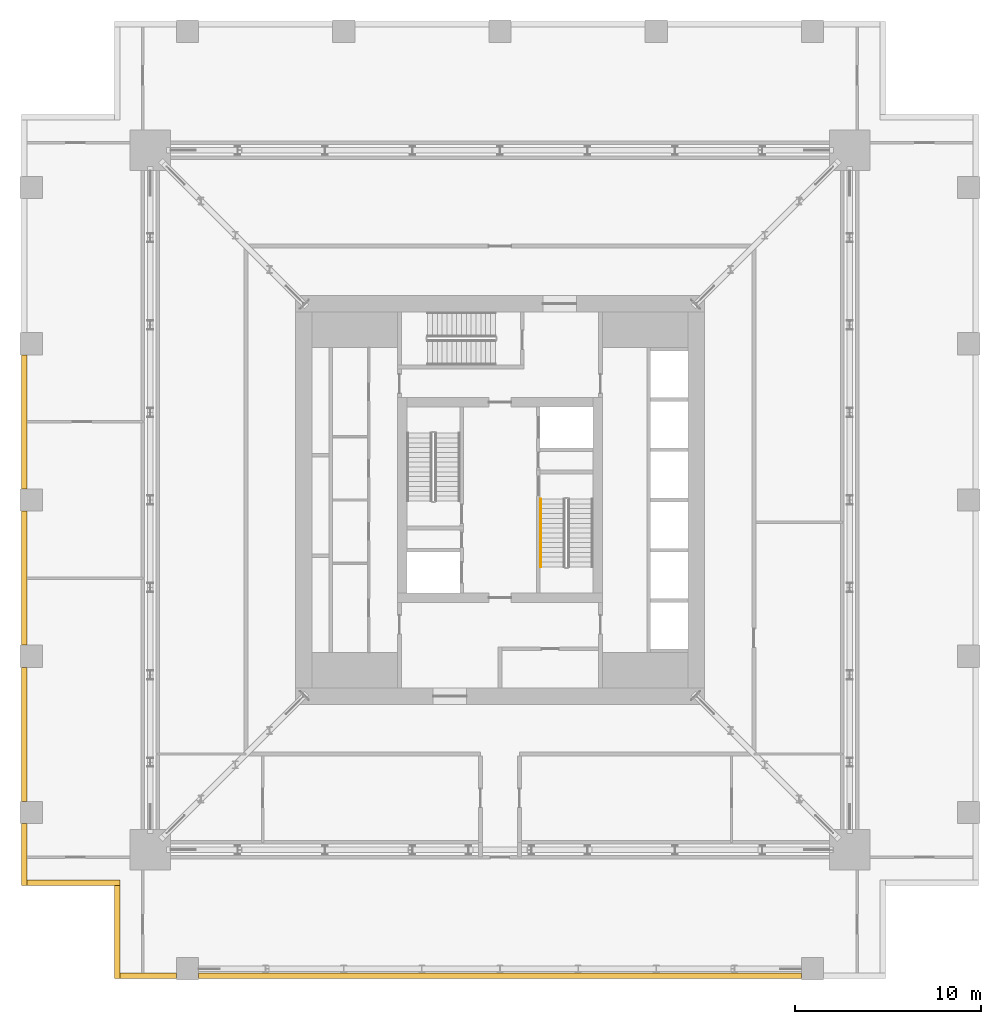
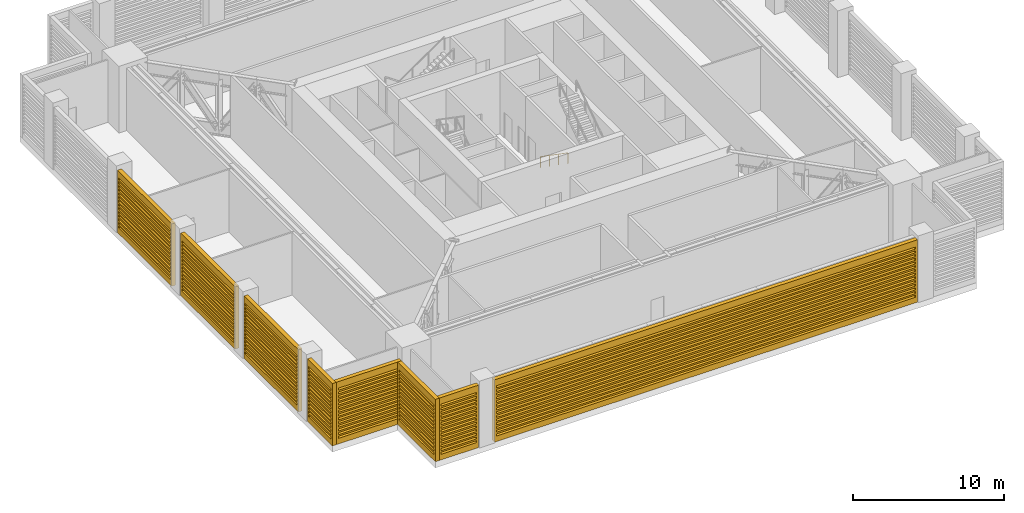
# One storey, part 12 of 16: 8 shading devices, 1 railing.
"""IFC4 building model written with IfcOpenShell, lengths in metres."""

from ifc_helpers import new_model, si_unit, direction, frame, origin, origin_2d, place, context, subcontext, project, spatial, polyline, rectangle, outline, extrude, material, type_object, element, save


model = new_model("IFC4")

# Units and contexts
model_context = context("Model", 3, precision=1e-05, world=origin(), true_north=direction((0.0, 1.0)))
body_context = subcontext(model_context, "Body", "Model", "MODEL_VIEW")
ifc_project = project(units=[si_unit("LENGTHUNIT", "METRE"), si_unit("AREAUNIT", "SQUARE_METRE"), si_unit("VOLUMEUNIT", "CUBIC_METRE"), si_unit("PLANEANGLEUNIT", "RADIAN"), si_unit("MASSUNIT", "GRAM", prefix="KILO")], contexts=[model_context])

# Site, building, storey
site_placement = place(None, origin())
site = spatial("IfcSite", under=ifc_project, at=site_placement, CompositionType="ELEMENT")
building_placement = place(site_placement, origin())
building = spatial("IfcBuilding", under=site, at=building_placement, Name="Khepri Terraces", CompositionType="ELEMENT")
storey_placement = place(building_placement, frame((0.0, 0.0, 287.39990234375)))
storey = spatial("IfcBuildingStorey", under=building, at=storey_placement, Name="L69", CompositionType="ELEMENT", Elevation=287.39990234375)

# Shading devices
ifc_material_1 = material(Name="Anodised aluminium bronze", Category="aluminium")
shading_device_type = type_object("IfcShadingDeviceType", Name="LVR-PLANT-300", PredefinedType="USERDEFINED", material=ifc_material_1)
shading_device_1_placement = place(storey_placement, frame((-25.419921875, 7.800048828125, 0.0), z_axis=(-1.0, 0.0, 0.0), x_axis=(0.0, -1.0, 0.0)))
element("IfcShadingDevice", 1, at=shading_device_1_placement, inside=storey, type_object=shading_device_type, Name="Louvre wall L69 W", ObjectType="LOUVRE", PredefinedType="USERDEFINED", context=body_context, shape_type="SweptSolid", body=[
    extrude(outline(polyline([(0.0, 0.0), (7.199951171875, 0.0), (7.199951171875, 5.050048828125), (0.0, 5.050048828125), (0.0, 0.0)]), holes=[polyline([(0.14990234375, 0.449951171875), (7.050048828125, 0.449951171875), (7.050048828125, 0.6201171875), (0.14990234375, 0.6201171875), (0.14990234375, 0.449951171875)]), polyline([(0.14990234375, 0.75), (7.050048828125, 0.75), (7.050048828125, 0.919921875), (0.14990234375, 0.919921875), (0.14990234375, 0.75)]), polyline([(0.14990234375, 1.050048828125), (7.050048828125, 1.050048828125), (7.050048828125, 1.219970703125), (0.14990234375, 1.219970703125), (0.14990234375, 1.050048828125)]), polyline([(0.14990234375, 1.35009765625), (7.050048828125, 1.35009765625), (7.050048828125, 1.52001953125), (0.14990234375, 1.52001953125), (0.14990234375, 1.35009765625)]), polyline([(0.14990234375, 1.64990234375), (7.050048828125, 1.64990234375), (7.050048828125, 1.820068359375), (0.14990234375, 1.820068359375), (0.14990234375, 1.64990234375)]), polyline([(0.14990234375, 1.949951171875), (7.050048828125, 1.949951171875), (7.050048828125, 2.1201171875), (0.14990234375, 2.1201171875), (0.14990234375, 1.949951171875)]), polyline([(0.14990234375, 2.25), (7.050048828125, 2.25), (7.050048828125, 2.419921875), (0.14990234375, 2.419921875), (0.14990234375, 2.25)]), polyline([(0.14990234375, 2.550048828125), (7.050048828125, 2.550048828125), (7.050048828125, 2.719970703125), (0.14990234375, 2.719970703125), (0.14990234375, 2.550048828125)]), polyline([(0.14990234375, 2.85009765625), (7.050048828125, 2.85009765625), (7.050048828125, 3.02001953125), (0.14990234375, 3.02001953125), (0.14990234375, 2.85009765625)]), polyline([(0.14990234375, 3.14990234375), (7.050048828125, 3.14990234375), (7.050048828125, 3.320068359375), (0.14990234375, 3.320068359375), (0.14990234375, 3.14990234375)]), polyline([(0.14990234375, 3.449951171875), (7.050048828125, 3.449951171875), (7.050048828125, 3.6201171875), (0.14990234375, 3.6201171875), (0.14990234375, 3.449951171875)]), polyline([(0.14990234375, 3.75), (7.050048828125, 3.75), (7.050048828125, 3.919921875), (0.14990234375, 3.919921875), (0.14990234375, 3.75)]), polyline([(0.14990234375, 4.050048828125), (7.050048828125, 4.050048828125), (7.050048828125, 4.219970703125), (0.14990234375, 4.219970703125), (0.14990234375, 4.050048828125)]), polyline([(0.14990234375, 4.35009765625), (7.050048828125, 4.35009765625), (7.050048828125, 4.52001953125), (0.14990234375, 4.52001953125), (0.14990234375, 4.35009765625)])]), origin(), (0.0, 0.0, 1.0), 0.300048828125),
])
shading_device_2_placement = place(storey_placement, frame((-25.419921875, -0.60009765625, 0.0), z_axis=(-1.0, 0.0, 0.0), x_axis=(0.0, -1.0, 0.0)))
element("IfcShadingDevice", 2, at=shading_device_2_placement, inside=storey, type_object=shading_device_type, Name="Louvre wall L69 W", ObjectType="LOUVRE", PredefinedType="USERDEFINED", context=body_context, shape_type="SweptSolid", body=[
    extrude(outline(polyline([(0.0, 0.0), (7.199951171875, 0.0), (7.199951171875, 5.050048828125), (0.0, 5.050048828125), (0.0, 0.0)]), holes=[polyline([(0.14990234375, 0.449951171875), (7.050048828125, 0.449951171875), (7.050048828125, 0.6201171875), (0.14990234375, 0.6201171875), (0.14990234375, 0.449951171875)]), polyline([(0.14990234375, 0.75), (7.050048828125, 0.75), (7.050048828125, 0.919921875), (0.14990234375, 0.919921875), (0.14990234375, 0.75)]), polyline([(0.14990234375, 1.050048828125), (7.050048828125, 1.050048828125), (7.050048828125, 1.219970703125), (0.14990234375, 1.219970703125), (0.14990234375, 1.050048828125)]), polyline([(0.14990234375, 1.35009765625), (7.050048828125, 1.35009765625), (7.050048828125, 1.52001953125), (0.14990234375, 1.52001953125), (0.14990234375, 1.35009765625)]), polyline([(0.14990234375, 1.64990234375), (7.050048828125, 1.64990234375), (7.050048828125, 1.820068359375), (0.14990234375, 1.820068359375), (0.14990234375, 1.64990234375)]), polyline([(0.14990234375, 1.949951171875), (7.050048828125, 1.949951171875), (7.050048828125, 2.1201171875), (0.14990234375, 2.1201171875), (0.14990234375, 1.949951171875)]), polyline([(0.14990234375, 2.25), (7.050048828125, 2.25), (7.050048828125, 2.419921875), (0.14990234375, 2.419921875), (0.14990234375, 2.25)]), polyline([(0.14990234375, 2.550048828125), (7.050048828125, 2.550048828125), (7.050048828125, 2.719970703125), (0.14990234375, 2.719970703125), (0.14990234375, 2.550048828125)]), polyline([(0.14990234375, 2.85009765625), (7.050048828125, 2.85009765625), (7.050048828125, 3.02001953125), (0.14990234375, 3.02001953125), (0.14990234375, 2.85009765625)]), polyline([(0.14990234375, 3.14990234375), (7.050048828125, 3.14990234375), (7.050048828125, 3.320068359375), (0.14990234375, 3.320068359375), (0.14990234375, 3.14990234375)]), polyline([(0.14990234375, 3.449951171875), (7.050048828125, 3.449951171875), (7.050048828125, 3.6201171875), (0.14990234375, 3.6201171875), (0.14990234375, 3.449951171875)]), polyline([(0.14990234375, 3.75), (7.050048828125, 3.75), (7.050048828125, 3.919921875), (0.14990234375, 3.919921875), (0.14990234375, 3.75)]), polyline([(0.14990234375, 4.050048828125), (7.050048828125, 4.050048828125), (7.050048828125, 4.219970703125), (0.14990234375, 4.219970703125), (0.14990234375, 4.050048828125)]), polyline([(0.14990234375, 4.35009765625), (7.050048828125, 4.35009765625), (7.050048828125, 4.52001953125), (0.14990234375, 4.52001953125), (0.14990234375, 4.35009765625)])]), origin(), (0.0, 0.0, 1.0), 0.300048828125),
])
shading_device_3_placement = place(storey_placement, frame((-25.419921875, -9.0, 0.0), z_axis=(-1.0, 0.0, 0.0), x_axis=(0.0, -1.0, 0.0)))
element("IfcShadingDevice", 3, at=shading_device_3_placement, inside=storey, type_object=shading_device_type, Name="Louvre wall L69 W", ObjectType="LOUVRE", PredefinedType="USERDEFINED", context=body_context, shape_type="SweptSolid", body=[
    extrude(outline(polyline([(0.0, 0.0), (7.199951171875, 0.0), (7.199951171875, 5.050048828125), (0.0, 5.050048828125), (0.0, 0.0)]), holes=[polyline([(0.14990234375, 0.449951171875), (7.050048828125, 0.449951171875), (7.050048828125, 0.6201171875), (0.14990234375, 0.6201171875), (0.14990234375, 0.449951171875)]), polyline([(0.14990234375, 0.75), (7.050048828125, 0.75), (7.050048828125, 0.919921875), (0.14990234375, 0.919921875), (0.14990234375, 0.75)]), polyline([(0.14990234375, 1.050048828125), (7.050048828125, 1.050048828125), (7.050048828125, 1.219970703125), (0.14990234375, 1.219970703125), (0.14990234375, 1.050048828125)]), polyline([(0.14990234375, 1.35009765625), (7.050048828125, 1.35009765625), (7.050048828125, 1.52001953125), (0.14990234375, 1.52001953125), (0.14990234375, 1.35009765625)]), polyline([(0.14990234375, 1.64990234375), (7.050048828125, 1.64990234375), (7.050048828125, 1.820068359375), (0.14990234375, 1.820068359375), (0.14990234375, 1.64990234375)]), polyline([(0.14990234375, 1.949951171875), (7.050048828125, 1.949951171875), (7.050048828125, 2.1201171875), (0.14990234375, 2.1201171875), (0.14990234375, 1.949951171875)]), polyline([(0.14990234375, 2.25), (7.050048828125, 2.25), (7.050048828125, 2.419921875), (0.14990234375, 2.419921875), (0.14990234375, 2.25)]), polyline([(0.14990234375, 2.550048828125), (7.050048828125, 2.550048828125), (7.050048828125, 2.719970703125), (0.14990234375, 2.719970703125), (0.14990234375, 2.550048828125)]), polyline([(0.14990234375, 2.85009765625), (7.050048828125, 2.85009765625), (7.050048828125, 3.02001953125), (0.14990234375, 3.02001953125), (0.14990234375, 2.85009765625)]), polyline([(0.14990234375, 3.14990234375), (7.050048828125, 3.14990234375), (7.050048828125, 3.320068359375), (0.14990234375, 3.320068359375), (0.14990234375, 3.14990234375)]), polyline([(0.14990234375, 3.449951171875), (7.050048828125, 3.449951171875), (7.050048828125, 3.6201171875), (0.14990234375, 3.6201171875), (0.14990234375, 3.449951171875)]), polyline([(0.14990234375, 3.75), (7.050048828125, 3.75), (7.050048828125, 3.919921875), (0.14990234375, 3.919921875), (0.14990234375, 3.75)]), polyline([(0.14990234375, 4.050048828125), (7.050048828125, 4.050048828125), (7.050048828125, 4.219970703125), (0.14990234375, 4.219970703125), (0.14990234375, 4.050048828125)]), polyline([(0.14990234375, 4.35009765625), (7.050048828125, 4.35009765625), (7.050048828125, 4.52001953125), (0.14990234375, 4.52001953125), (0.14990234375, 4.35009765625)])]), origin(), (0.0, 0.0, 1.0), 0.300048828125),
])
shading_device_4_placement = place(storey_placement, frame((-25.419921875, -17.39990234375, 0.0), z_axis=(-1.0, 0.0, 0.0), x_axis=(0.0, -1.0, 0.0)))
element("IfcShadingDevice", 4, at=shading_device_4_placement, inside=storey, type_object=shading_device_type, Name="Louvre wall L69 W", ObjectType="LOUVRE", PredefinedType="USERDEFINED", context=body_context, shape_type="SweptSolid", body=[
    extrude(outline(polyline([(0.0, 0.0), (3.320068359375, 0.0), (3.320068359375, 5.050048828125), (0.0, 5.050048828125), (0.0, 0.0)]), holes=[polyline([(0.14990234375, 0.449951171875), (3.169921875, 0.449951171875), (3.169921875, 0.6201171875), (0.14990234375, 0.6201171875), (0.14990234375, 0.449951171875)]), polyline([(0.14990234375, 0.75), (3.169921875, 0.75), (3.169921875, 0.919921875), (0.14990234375, 0.919921875), (0.14990234375, 0.75)]), polyline([(0.14990234375, 1.050048828125), (3.169921875, 1.050048828125), (3.169921875, 1.219970703125), (0.14990234375, 1.219970703125), (0.14990234375, 1.050048828125)]), polyline([(0.14990234375, 1.35009765625), (3.169921875, 1.35009765625), (3.169921875, 1.52001953125), (0.14990234375, 1.52001953125), (0.14990234375, 1.35009765625)]), polyline([(0.14990234375, 1.64990234375), (3.169921875, 1.64990234375), (3.169921875, 1.820068359375), (0.14990234375, 1.820068359375), (0.14990234375, 1.64990234375)]), polyline([(0.14990234375, 1.949951171875), (3.169921875, 1.949951171875), (3.169921875, 2.1201171875), (0.14990234375, 2.1201171875), (0.14990234375, 1.949951171875)]), polyline([(0.14990234375, 2.25), (3.169921875, 2.25), (3.169921875, 2.419921875), (0.14990234375, 2.419921875), (0.14990234375, 2.25)]), polyline([(0.14990234375, 2.550048828125), (3.169921875, 2.550048828125), (3.169921875, 2.719970703125), (0.14990234375, 2.719970703125), (0.14990234375, 2.550048828125)]), polyline([(0.14990234375, 2.85009765625), (3.169921875, 2.85009765625), (3.169921875, 3.02001953125), (0.14990234375, 3.02001953125), (0.14990234375, 2.85009765625)]), polyline([(0.14990234375, 3.14990234375), (3.169921875, 3.14990234375), (3.169921875, 3.320068359375), (0.14990234375, 3.320068359375), (0.14990234375, 3.14990234375)]), polyline([(0.14990234375, 3.449951171875), (3.169921875, 3.449951171875), (3.169921875, 3.6201171875), (0.14990234375, 3.6201171875), (0.14990234375, 3.449951171875)]), polyline([(0.14990234375, 3.75), (3.169921875, 3.75), (3.169921875, 3.919921875), (0.14990234375, 3.919921875), (0.14990234375, 3.75)]), polyline([(0.14990234375, 4.050048828125), (3.169921875, 4.050048828125), (3.169921875, 4.219970703125), (0.14990234375, 4.219970703125), (0.14990234375, 4.050048828125)]), polyline([(0.14990234375, 4.35009765625), (3.169921875, 4.35009765625), (3.169921875, 4.52001953125), (0.14990234375, 4.52001953125), (0.14990234375, 4.35009765625)])]), origin(), (0.0, 0.0, 1.0), 0.300048828125),
])
shading_device_5_placement = place(storey_placement, frame((-25.419921875, -20.419921875, 0.0), z_axis=(0.0, -1.0, 0.0), x_axis=(1.0, 0.0, 0.0)))
element("IfcShadingDevice", 5, at=shading_device_5_placement, inside=storey, type_object=shading_device_type, Name="Louvre wall L69 S", ObjectType="LOUVRE", PredefinedType="USERDEFINED", context=body_context, shape_type="SweptSolid", body=[
    extrude(outline(polyline([(0.0, 0.0), (5.0, 0.0), (5.0, 5.050048828125), (0.0, 5.050048828125), (0.0, 0.0)]), holes=[polyline([(0.14990234375, 0.449951171875), (4.85009765625, 0.449951171875), (4.85009765625, 0.6201171875), (0.14990234375, 0.6201171875), (0.14990234375, 0.449951171875)]), polyline([(0.14990234375, 0.75), (4.85009765625, 0.75), (4.85009765625, 0.919921875), (0.14990234375, 0.919921875), (0.14990234375, 0.75)]), polyline([(0.14990234375, 1.050048828125), (4.85009765625, 1.050048828125), (4.85009765625, 1.219970703125), (0.14990234375, 1.219970703125), (0.14990234375, 1.050048828125)]), polyline([(0.14990234375, 1.35009765625), (4.85009765625, 1.35009765625), (4.85009765625, 1.52001953125), (0.14990234375, 1.52001953125), (0.14990234375, 1.35009765625)]), polyline([(0.14990234375, 1.64990234375), (4.85009765625, 1.64990234375), (4.85009765625, 1.820068359375), (0.14990234375, 1.820068359375), (0.14990234375, 1.64990234375)]), polyline([(0.14990234375, 1.949951171875), (4.85009765625, 1.949951171875), (4.85009765625, 2.1201171875), (0.14990234375, 2.1201171875), (0.14990234375, 1.949951171875)]), polyline([(0.14990234375, 2.25), (4.85009765625, 2.25), (4.85009765625, 2.419921875), (0.14990234375, 2.419921875), (0.14990234375, 2.25)]), polyline([(0.14990234375, 2.550048828125), (4.85009765625, 2.550048828125), (4.85009765625, 2.719970703125), (0.14990234375, 2.719970703125), (0.14990234375, 2.550048828125)]), polyline([(0.14990234375, 2.85009765625), (4.85009765625, 2.85009765625), (4.85009765625, 3.02001953125), (0.14990234375, 3.02001953125), (0.14990234375, 2.85009765625)]), polyline([(0.14990234375, 3.14990234375), (4.85009765625, 3.14990234375), (4.85009765625, 3.320068359375), (0.14990234375, 3.320068359375), (0.14990234375, 3.14990234375)]), polyline([(0.14990234375, 3.449951171875), (4.85009765625, 3.449951171875), (4.85009765625, 3.6201171875), (0.14990234375, 3.6201171875), (0.14990234375, 3.449951171875)]), polyline([(0.14990234375, 3.75), (4.85009765625, 3.75), (4.85009765625, 3.919921875), (0.14990234375, 3.919921875), (0.14990234375, 3.75)]), polyline([(0.14990234375, 4.050048828125), (4.85009765625, 4.050048828125), (4.85009765625, 4.219970703125), (0.14990234375, 4.219970703125), (0.14990234375, 4.050048828125)]), polyline([(0.14990234375, 4.35009765625), (4.85009765625, 4.35009765625), (4.85009765625, 4.52001953125), (0.14990234375, 4.52001953125), (0.14990234375, 4.35009765625)])]), origin(), (0.0, 0.0, 1.0), 0.300048828125),
])
shading_device_6_placement = place(storey_placement, frame((-20.419921875, -20.719970703125, 0.0), z_axis=(-1.0, 0.0, 0.0), x_axis=(0.0, -1.0, 0.0)))
element("IfcShadingDevice", 6, at=shading_device_6_placement, inside=storey, type_object=shading_device_type, Name="Louvre wall L69 W", ObjectType="LOUVRE", PredefinedType="USERDEFINED", context=body_context, shape_type="SweptSolid", body=[
    extrude(outline(polyline([(0.0, 0.0), (5.0, 0.0), (5.0, 5.050048828125), (0.0, 5.050048828125), (0.0, 0.0)]), holes=[polyline([(0.14990234375, 0.449951171875), (4.85009765625, 0.449951171875), (4.85009765625, 0.6201171875), (0.14990234375, 0.6201171875), (0.14990234375, 0.449951171875)]), polyline([(0.14990234375, 0.75), (4.85009765625, 0.75), (4.85009765625, 0.919921875), (0.14990234375, 0.919921875), (0.14990234375, 0.75)]), polyline([(0.14990234375, 1.050048828125), (4.85009765625, 1.050048828125), (4.85009765625, 1.219970703125), (0.14990234375, 1.219970703125), (0.14990234375, 1.050048828125)]), polyline([(0.14990234375, 1.35009765625), (4.85009765625, 1.35009765625), (4.85009765625, 1.52001953125), (0.14990234375, 1.52001953125), (0.14990234375, 1.35009765625)]), polyline([(0.14990234375, 1.64990234375), (4.85009765625, 1.64990234375), (4.85009765625, 1.820068359375), (0.14990234375, 1.820068359375), (0.14990234375, 1.64990234375)]), polyline([(0.14990234375, 1.949951171875), (4.85009765625, 1.949951171875), (4.85009765625, 2.1201171875), (0.14990234375, 2.1201171875), (0.14990234375, 1.949951171875)]), polyline([(0.14990234375, 2.25), (4.85009765625, 2.25), (4.85009765625, 2.419921875), (0.14990234375, 2.419921875), (0.14990234375, 2.25)]), polyline([(0.14990234375, 2.550048828125), (4.85009765625, 2.550048828125), (4.85009765625, 2.719970703125), (0.14990234375, 2.719970703125), (0.14990234375, 2.550048828125)]), polyline([(0.14990234375, 2.85009765625), (4.85009765625, 2.85009765625), (4.85009765625, 3.02001953125), (0.14990234375, 3.02001953125), (0.14990234375, 2.85009765625)]), polyline([(0.14990234375, 3.14990234375), (4.85009765625, 3.14990234375), (4.85009765625, 3.320068359375), (0.14990234375, 3.320068359375), (0.14990234375, 3.14990234375)]), polyline([(0.14990234375, 3.449951171875), (4.85009765625, 3.449951171875), (4.85009765625, 3.6201171875), (0.14990234375, 3.6201171875), (0.14990234375, 3.449951171875)]), polyline([(0.14990234375, 3.75), (4.85009765625, 3.75), (4.85009765625, 3.919921875), (0.14990234375, 3.919921875), (0.14990234375, 3.75)]), polyline([(0.14990234375, 4.050048828125), (4.85009765625, 4.050048828125), (4.85009765625, 4.219970703125), (0.14990234375, 4.219970703125), (0.14990234375, 4.050048828125)]), polyline([(0.14990234375, 4.35009765625), (4.85009765625, 4.35009765625), (4.85009765625, 4.52001953125), (0.14990234375, 4.52001953125), (0.14990234375, 4.35009765625)])]), origin(), (0.0, 0.0, 1.0), 0.300048828125),
])
shading_device_7_placement = place(storey_placement, frame((-20.419921875, -25.419921875, 0.0), z_axis=(0.0, -1.0, 0.0), x_axis=(1.0, 0.0, 0.0)))
element("IfcShadingDevice", 7, at=shading_device_7_placement, inside=storey, type_object=shading_device_type, Name="Louvre wall L69 S", ObjectType="LOUVRE", PredefinedType="USERDEFINED", context=body_context, shape_type="SweptSolid", body=[
    extrude(outline(polyline([(0.0, 0.0), (3.02001953125, 0.0), (3.02001953125, 5.050048828125), (0.0, 5.050048828125), (0.0, 0.0)]), holes=[polyline([(0.14990234375, 0.449951171875), (2.8701171875, 0.449951171875), (2.8701171875, 0.6201171875), (0.14990234375, 0.6201171875), (0.14990234375, 0.449951171875)]), polyline([(0.14990234375, 0.75), (2.8701171875, 0.75), (2.8701171875, 0.919921875), (0.14990234375, 0.919921875), (0.14990234375, 0.75)]), polyline([(0.14990234375, 1.050048828125), (2.8701171875, 1.050048828125), (2.8701171875, 1.219970703125), (0.14990234375, 1.219970703125), (0.14990234375, 1.050048828125)]), polyline([(0.14990234375, 1.35009765625), (2.8701171875, 1.35009765625), (2.8701171875, 1.52001953125), (0.14990234375, 1.52001953125), (0.14990234375, 1.35009765625)]), polyline([(0.14990234375, 1.64990234375), (2.8701171875, 1.64990234375), (2.8701171875, 1.820068359375), (0.14990234375, 1.820068359375), (0.14990234375, 1.64990234375)]), polyline([(0.14990234375, 1.949951171875), (2.8701171875, 1.949951171875), (2.8701171875, 2.1201171875), (0.14990234375, 2.1201171875), (0.14990234375, 1.949951171875)]), polyline([(0.14990234375, 2.25), (2.8701171875, 2.25), (2.8701171875, 2.419921875), (0.14990234375, 2.419921875), (0.14990234375, 2.25)]), polyline([(0.14990234375, 2.550048828125), (2.8701171875, 2.550048828125), (2.8701171875, 2.719970703125), (0.14990234375, 2.719970703125), (0.14990234375, 2.550048828125)]), polyline([(0.14990234375, 2.85009765625), (2.8701171875, 2.85009765625), (2.8701171875, 3.02001953125), (0.14990234375, 3.02001953125), (0.14990234375, 2.85009765625)]), polyline([(0.14990234375, 3.14990234375), (2.8701171875, 3.14990234375), (2.8701171875, 3.320068359375), (0.14990234375, 3.320068359375), (0.14990234375, 3.14990234375)]), polyline([(0.14990234375, 3.449951171875), (2.8701171875, 3.449951171875), (2.8701171875, 3.6201171875), (0.14990234375, 3.6201171875), (0.14990234375, 3.449951171875)]), polyline([(0.14990234375, 3.75), (2.8701171875, 3.75), (2.8701171875, 3.919921875), (0.14990234375, 3.919921875), (0.14990234375, 3.75)]), polyline([(0.14990234375, 4.050048828125), (2.8701171875, 4.050048828125), (2.8701171875, 4.219970703125), (0.14990234375, 4.219970703125), (0.14990234375, 4.050048828125)]), polyline([(0.14990234375, 4.35009765625), (2.8701171875, 4.35009765625), (2.8701171875, 4.52001953125), (0.14990234375, 4.52001953125), (0.14990234375, 4.35009765625)])]), origin(), (0.0, 0.0, 1.0), 0.300048828125),
])
shading_device_8_placement = place(storey_placement, frame((-16.199951171875, -25.419921875, 0.0), z_axis=(0.0, -1.0, 0.0), x_axis=(1.0, 0.0, 0.0)))
element("IfcShadingDevice", 8, at=shading_device_8_placement, inside=storey, type_object=shading_device_type, Name="Louvre wall L69 S", ObjectType="LOUVRE", PredefinedType="USERDEFINED", context=body_context, shape_type="SweptSolid", body=[
    extrude(outline(polyline([(0.0, 0.0), (32.39990234375, 0.0), (32.39990234375, 5.050048828125), (0.0, 5.050048828125), (0.0, 0.0)]), holes=[polyline([(0.14990234375, 0.449951171875), (32.25, 0.449951171875), (32.25, 0.6201171875), (0.14990234375, 0.6201171875), (0.14990234375, 0.449951171875)]), polyline([(0.14990234375, 0.75), (32.25, 0.75), (32.25, 0.919921875), (0.14990234375, 0.919921875), (0.14990234375, 0.75)]), polyline([(0.14990234375, 1.050048828125), (32.25, 1.050048828125), (32.25, 1.219970703125), (0.14990234375, 1.219970703125), (0.14990234375, 1.050048828125)]), polyline([(0.14990234375, 1.35009765625), (32.25, 1.35009765625), (32.25, 1.52001953125), (0.14990234375, 1.52001953125), (0.14990234375, 1.35009765625)]), polyline([(0.14990234375, 1.64990234375), (32.25, 1.64990234375), (32.25, 1.820068359375), (0.14990234375, 1.820068359375), (0.14990234375, 1.64990234375)]), polyline([(0.14990234375, 1.949951171875), (32.25, 1.949951171875), (32.25, 2.1201171875), (0.14990234375, 2.1201171875), (0.14990234375, 1.949951171875)]), polyline([(0.14990234375, 2.25), (32.25, 2.25), (32.25, 2.419921875), (0.14990234375, 2.419921875), (0.14990234375, 2.25)]), polyline([(0.14990234375, 2.550048828125), (32.25, 2.550048828125), (32.25, 2.719970703125), (0.14990234375, 2.719970703125), (0.14990234375, 2.550048828125)]), polyline([(0.14990234375, 2.85009765625), (32.25, 2.85009765625), (32.25, 3.02001953125), (0.14990234375, 3.02001953125), (0.14990234375, 2.85009765625)]), polyline([(0.14990234375, 3.14990234375), (32.25, 3.14990234375), (32.25, 3.320068359375), (0.14990234375, 3.320068359375), (0.14990234375, 3.14990234375)]), polyline([(0.14990234375, 3.449951171875), (32.25, 3.449951171875), (32.25, 3.6201171875), (0.14990234375, 3.6201171875), (0.14990234375, 3.449951171875)]), polyline([(0.14990234375, 3.75), (32.25, 3.75), (32.25, 3.919921875), (0.14990234375, 3.919921875), (0.14990234375, 3.75)]), polyline([(0.14990234375, 4.050048828125), (32.25, 4.050048828125), (32.25, 4.219970703125), (0.14990234375, 4.219970703125), (0.14990234375, 4.050048828125)]), polyline([(0.14990234375, 4.35009765625), (32.25, 4.35009765625), (32.25, 4.52001953125), (0.14990234375, 4.52001953125), (0.14990234375, 4.35009765625)])]), origin(), (0.0, 0.0, 1.0), 0.300048828125),
])

# Railing
ifc_material_2 = material(Name="Stainless steel 316", Category="steel")
railing_type = type_object("IfcRailingType", Name="RL-CORE-HANDRAIL", PredefinedType="HANDRAIL", material=ifc_material_2)
railing_placement = place(storey_placement, frame((2.199951171875, 0.050048828125, 0.18017578125)))
element("IfcRailing", 9, at=railing_placement, inside=storey, type_object=railing_type, Name="L69 ST-2 stair handrail 1", PredefinedType="HANDRAIL", context=body_context, shape_type="SweptSolid", body=[
    extrude(rectangle(XDim=0.050048828125, YDim=0.050048828125, at=origin_2d()), frame((0.0, 0.0, 0.875), z_axis=(0.0, -0.82220013233, 0.56919850878), x_axis=(1.0, 0.0, 0.0)), (0.0, 0.0, 1.0), 4.42724609375),
    extrude(rectangle(XDim=0.050048828125, YDim=0.050048828125, at=origin_2d()), origin(), (0.0, 0.0, 1.0), 0.849853515625),
    extrude(rectangle(XDim=0.050048828125, YDim=0.050048828125, at=origin_2d()), frame((0.0, -1.21337890625, 0.840087890625)), (0.0, 0.0, 1.0), 0.849853515625),
    extrude(rectangle(XDim=0.050048828125, YDim=0.050048828125, at=origin_2d()), frame((0.0, -2.4267578125, 1.679931640625)), (0.0, 0.0, 1.0), 0.849853515625),
    extrude(rectangle(XDim=0.050048828125, YDim=0.050048828125, at=origin_2d()), frame((0.0, -3.64013671875, 2.52001953125)), (0.0, 0.0, 1.0), 0.849853515625),
])

save(model, "model.ifc")
